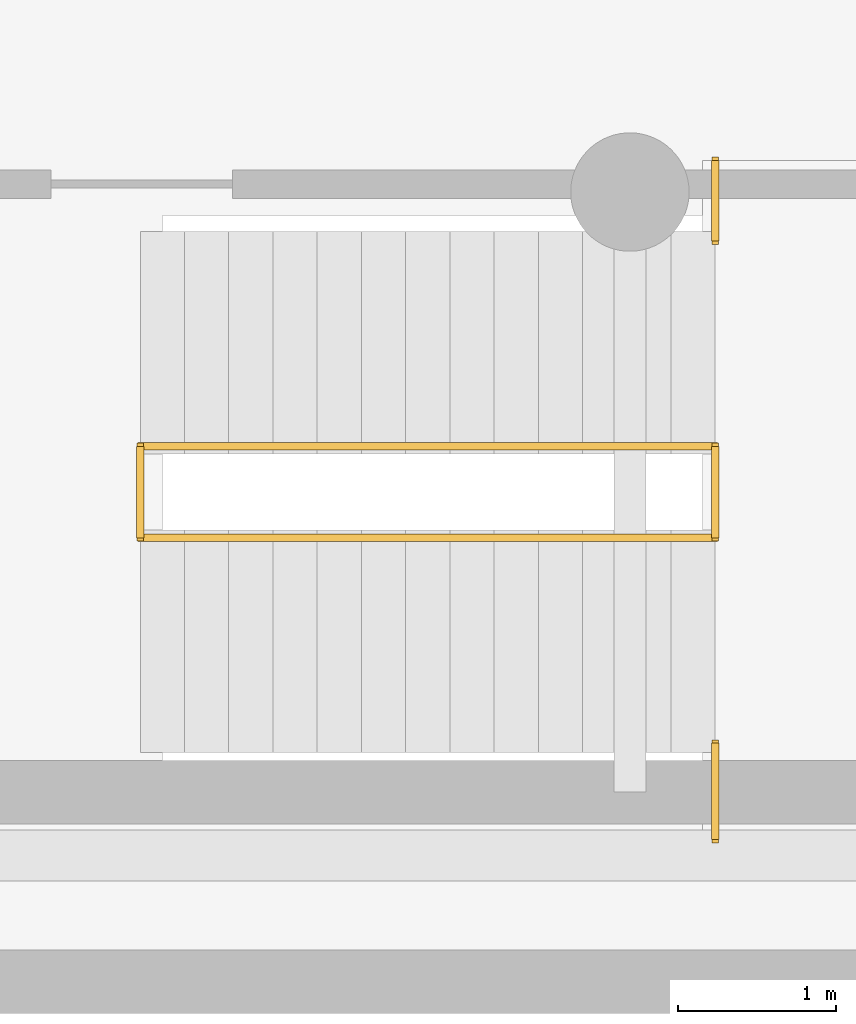
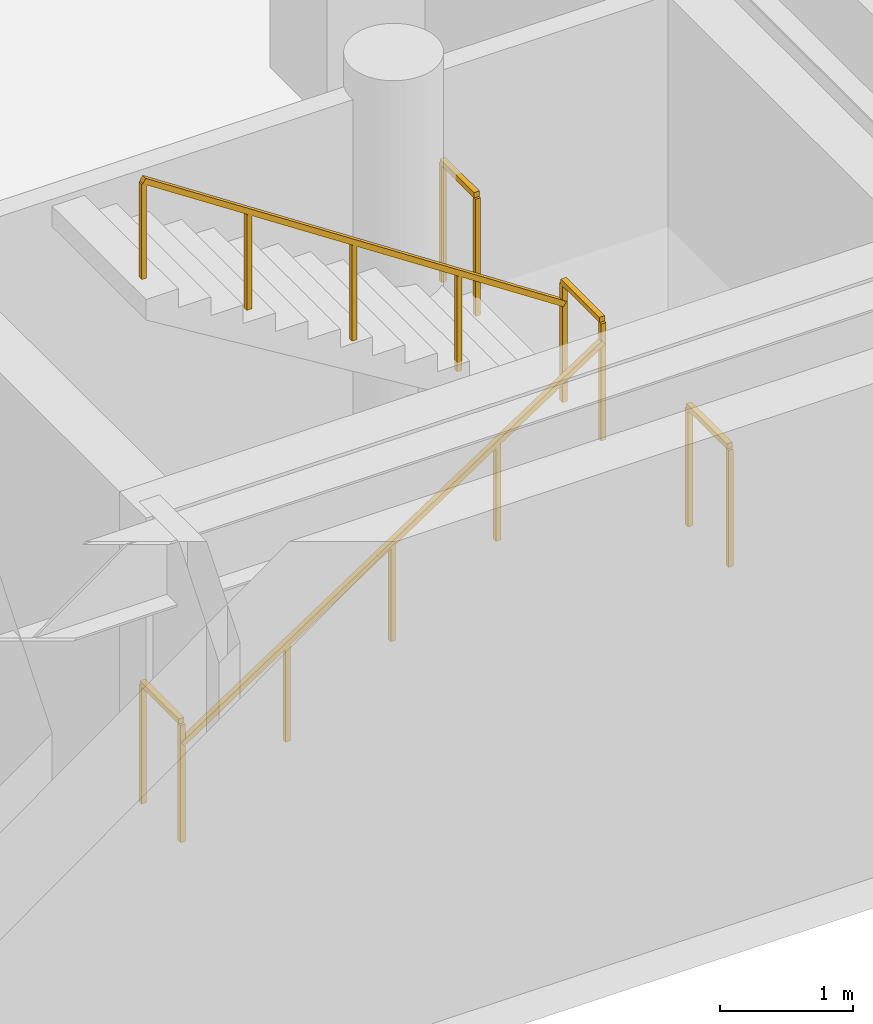
# One storey, part 40 of 40: 6 railings.
"""IFC4 building model written with IfcOpenShell, lengths in metres."""

from ifc_helpers import new_model, si_unit, direction, frame, origin, origin_2d, place, context, subcontext, project, spatial, rectangle, extrude, material, type_object, element, save


model = new_model("IFC4")

# Units and contexts
model_context = context("Model", 3, precision=1e-05, world=origin(), true_north=direction((0.0, 1.0)))
body_context = subcontext(model_context, "Body", "Model", "MODEL_VIEW")
ifc_project = project(units=[si_unit("LENGTHUNIT", "METRE"), si_unit("AREAUNIT", "SQUARE_METRE"), si_unit("VOLUMEUNIT", "CUBIC_METRE"), si_unit("PLANEANGLEUNIT", "RADIAN"), si_unit("MASSUNIT", "GRAM", prefix="KILO")], contexts=[model_context])

# Site, building, storey
site_placement = place(None, origin())
site = spatial("IfcSite", under=ifc_project, at=site_placement, CompositionType="ELEMENT")
building_placement = place(site_placement, origin())
building = spatial("IfcBuilding", under=site, at=building_placement, Name="Kazevale Care Tower and Concert Hall", CompositionType="ELEMENT")
storey_placement = place(building_placement, frame((0.0, 0.0, 4.800048828125)))
storey = spatial("IfcBuildingStorey", under=building, at=storey_placement, Name="L01", CompositionType="ELEMENT", Elevation=4.800048828125)

# Railings
ifc_material = material(Name="Stainless Steel 316", Category="steel")
railing_type_1 = type_object("IfcRailingType", Name="Stair Pitch Handrail 920", PredefinedType="HANDRAIL", material=ifc_material)
railing_1_placement = place(storey_placement, frame((138.949951171875, 17.010009765625, 0.0)))
element("IfcRailing", 1, at=railing_1_placement, inside=storey, type_object=railing_type_1, Name="stair:L01:ST5:hr1", PredefinedType="HANDRAIL", context=body_context, shape_type="SweptSolid", body=[
    extrude(rectangle(XDim=0.048095703125, YDim=0.048095703125, at=origin_2d()), frame((0.0, 0.0, 0.89599609375), z_axis=(0.83488217925, 0.0, 0.55042869363), x_axis=(0.0, 1.0, 0.0)), (0.0, 0.0, 1.0), 4.360107421875),
    extrude(rectangle(XDim=0.0419921875, YDim=0.0419921875, at=origin_2d()), origin(), (0.0, 0.0, 1.0), 0.871826171875),
    extrude(rectangle(XDim=0.0419921875, YDim=0.0419921875, at=origin_2d()), frame((0.91015625, 0.0, 0.60009765625)), (0.0, 0.0, 1.0), 0.871826171875),
    extrude(rectangle(XDim=0.0419921875, YDim=0.0419921875, at=origin_2d()), frame((1.820068359375, 0.0, 1.199951171875)), (0.0, 0.0, 1.0), 0.871826171875),
    extrude(rectangle(XDim=0.0419921875, YDim=0.0419921875, at=origin_2d()), frame((2.72998046875, 0.0, 1.7998046875)), (0.0, 0.0, 1.0), 0.871826171875),
    extrude(rectangle(XDim=0.0419921875, YDim=0.0419921875, at=origin_2d()), frame((3.64013671875, 0.0, 2.39990234375)), (0.0, 0.0, 1.0), 0.871826171875),
])
railing_2_placement = place(storey_placement, frame((142.590087890625, 17.590087890625, 2.39990234375)))
element("IfcRailing", 2, at=railing_2_placement, inside=storey, type_object=railing_type_1, Name="stair:L01:ST5:hr2", PredefinedType="HANDRAIL", context=body_context, shape_type="SweptSolid", body=[
    extrude(rectangle(XDim=0.048095703125, YDim=0.048095703125, at=origin_2d()), frame((0.0, 0.0, 0.89599609375), z_axis=(-0.834856447115, 0.0, 0.55046772177), x_axis=(0.0, -1.0, 0.0)), (0.0, 0.0, 1.0), 4.360107421875),
    extrude(rectangle(XDim=0.0419921875, YDim=0.0419921875, at=origin_2d()), origin(), (0.0, 0.0, 1.0), 0.871826171875),
    extrude(rectangle(XDim=0.0419921875, YDim=0.0419921875, at=origin_2d()), frame((-0.91015625, 0.0, 0.60009765625)), (0.0, 0.0, 1.0), 0.871826171875),
    extrude(rectangle(XDim=0.0419921875, YDim=0.0419921875, at=origin_2d()), frame((-1.820068359375, 0.0, 1.2001953125)), (0.0, 0.0, 1.0), 0.871826171875),
    extrude(rectangle(XDim=0.0419921875, YDim=0.0419921875, at=origin_2d()), frame((-2.72998046875, 0.0, 1.800048828125)), (0.0, 0.0, 1.0), 0.871826171875),
    extrude(rectangle(XDim=0.0419921875, YDim=0.0419921875, at=origin_2d()), frame((-3.64013671875, 0.0, 2.400146484375)), (0.0, 0.0, 1.0), 0.871826171875),
])
railing_type_2 = type_object("IfcRailingType", Name="Stair Well Guard Balustrade 1120", PredefinedType="BALUSTRADE", material=ifc_material)
railing_3_placement = place(storey_placement, frame((142.590087890625, 15.10009765625, 2.39990234375)))
element("IfcRailing", 3, at=railing_3_placement, inside=storey, type_object=railing_type_2, Name="stair:L01:ST5:grd_side1", PredefinedType="BALUSTRADE", context=body_context, shape_type="SweptSolid", body=[
    extrude(rectangle(XDim=0.048095703125, YDim=0.048095703125, at=origin_2d()), frame((0.0, 0.0, 1.09619140625), z_axis=(0.0, 1.0, 0.0), x_axis=(-1.0, 0.0, 0.0)), (0.0, 0.0, 1.0), 0.60986328125),
    extrude(rectangle(XDim=0.0419921875, YDim=0.0419921875, at=origin_2d()), origin(), (0.0, 0.0, 1.0), 1.072021484375),
    extrude(rectangle(XDim=0.0419921875, YDim=0.0419921875, at=origin_2d()), frame((0.0, 0.60986328125, 0.0)), (0.0, 0.0, 1.0), 1.072021484375),
])
railing_4_placement = place(storey_placement, frame((142.590087890625, 18.889892578125, 2.39990234375)))
element("IfcRailing", 4, at=railing_4_placement, inside=storey, type_object=railing_type_2, Name="stair:L01:ST5:grd_side2", PredefinedType="BALUSTRADE", context=body_context, shape_type="SweptSolid", body=[
    extrude(rectangle(XDim=0.048095703125, YDim=0.048095703125, at=origin_2d()), frame((0.0, 0.0, 1.09619140625), z_axis=(0.0, 1.0, 0.0), x_axis=(-1.0, 0.0, 0.0)), (0.0, 0.0, 1.0), 0.510009765625),
    extrude(rectangle(XDim=0.0419921875, YDim=0.0419921875, at=origin_2d()), origin(), (0.0, 0.0, 1.0), 1.072021484375),
    extrude(rectangle(XDim=0.0419921875, YDim=0.0419921875, at=origin_2d()), frame((0.0, 0.510009765625, 0.0)), (0.0, 0.0, 1.0), 1.072021484375),
])
for number, where, name in (
    (5, (142.590087890625, 17.010009765625, 2.39990234375), "stair:L01:ST5:grd_mid"),
    (6, (138.949951171875, 17.010009765625, 0.0), "stair:L01:ST5:grd_flr"),
):
    element("IfcRailing", number, at=place(storey_placement, frame(where)), inside=storey, type_object=railing_type_2, Name=name, PredefinedType="BALUSTRADE", context=body_context, shape_type="SweptSolid", body=[
        extrude(rectangle(XDim=0.048095703125, YDim=0.048095703125, at=origin_2d()), frame((0.0, 0.0, 1.09619140625), z_axis=(0.0, 1.0, 0.0), x_axis=(-1.0, 0.0, 0.0)), (0.0, 0.0, 1.0), 0.580078125),
        extrude(rectangle(XDim=0.0419921875, YDim=0.0419921875, at=origin_2d()), origin(), (0.0, 0.0, 1.0), 1.072021484375),
        extrude(rectangle(XDim=0.0419921875, YDim=0.0419921875, at=origin_2d()), frame((0.0, 0.580078125, 0.0)), (0.0, 0.0, 1.0), 1.072021484375),
    ])

save(model, "model.ifc")
